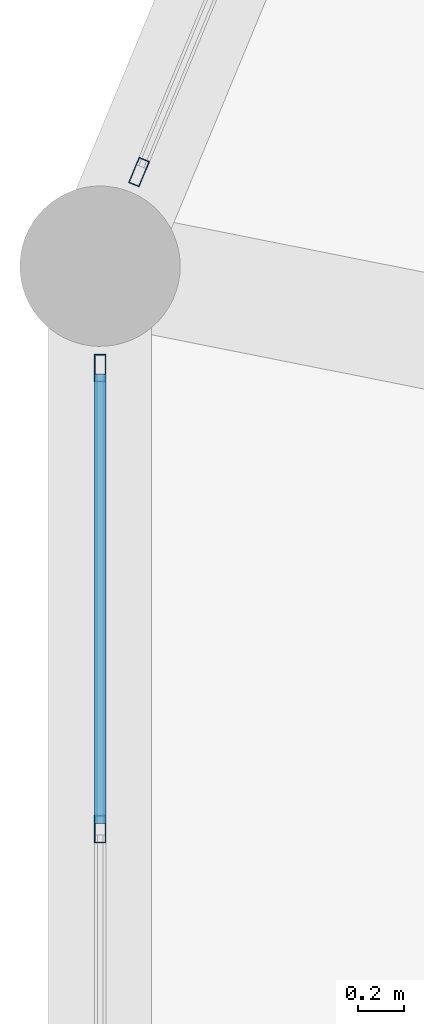
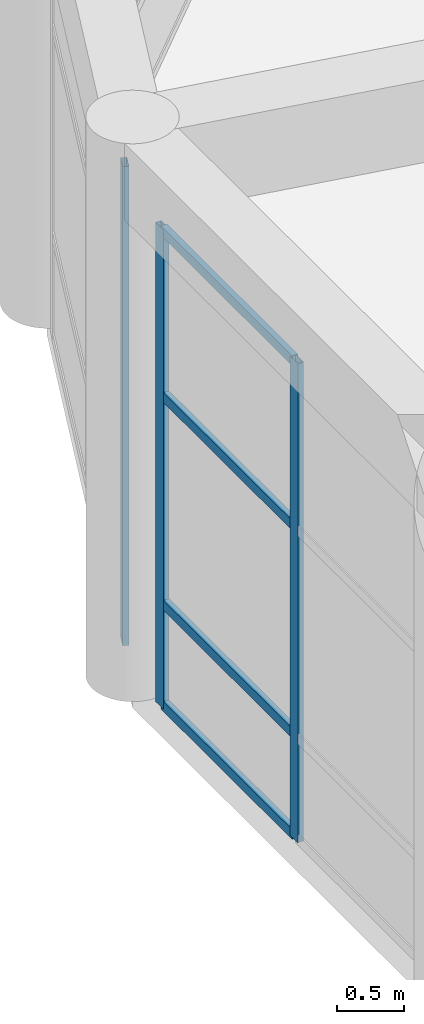
# One storey, part 9 of 95: 7 members, 2 elements without a shape of their own.
"""IFC4 building model written with IfcOpenShell, lengths in metres."""

from ifc_helpers import new_model, si_unit, direction, frame, origin, origin_2d, place, context, subcontext, project, spatial, hollow_rectangle, extrude, material, material_profile, profile_set, type_object, element, aggregate, save


model = new_model("IFC4")

# Units and contexts
model_context = context("Model", 3, precision=1e-05, world=origin(), true_north=direction((0.0, 1.0)))
body_context = subcontext(model_context, "Body", "Model", "MODEL_VIEW")
ifc_project = project(units=[si_unit("LENGTHUNIT", "METRE"), si_unit("AREAUNIT", "SQUARE_METRE"), si_unit("VOLUMEUNIT", "CUBIC_METRE"), si_unit("PLANEANGLEUNIT", "RADIAN"), si_unit("MASSUNIT", "GRAM", prefix="KILO")], contexts=[model_context])

# Site, building, storey
site_placement = place(None, origin())
site = spatial("IfcSite", under=ifc_project, at=site_placement, CompositionType="ELEMENT")
building_placement = place(site_placement, origin())
building = spatial("IfcBuilding", under=site, at=building_placement, Name="Almacenes y Pasaje Nevantli", CompositionType="ELEMENT")
storey_placement = place(building_placement, frame((0.0, 0.0, 11.39990234375)))
storey = spatial("IfcBuildingStorey", under=building, at=storey_placement, Name="L03", CompositionType="ELEMENT", Elevation=11.39990234375)

# Curtain wall, member
ifc_material_1 = material(Name="Thermally Broken Aluminium and Low-E Glass", Category="aluminium")
curtain_wall_type = type_object("IfcCurtainWallType", Name="CW-UNIT-ROTUNDA", PredefinedType="USERDEFINED", material=ifc_material_1)
curtain_wall_1_placement = place(storey_placement, origin())
curtain_wall_1 = element("IfcCurtainWall", 1, at=curtain_wall_1_placement, inside=storey, type_object=curtain_wall_type, Name="L03 Corner Rotunda Faceted Curtain Wall Facet #7", ObjectType="UNITIZED CURTAIN WALL", PredefinedType="USERDEFINED")
ifc_material_2 = material(Name="Thermally Broken Anodized Aluminium", Category="aluminium")
ifc_material_profile_1 = material_profile(ifc_material_2, hollow_rectangle(XDim=0.050048828125, YDim=0.1201171875, WallThickness=0.003173828125, at=origin_2d()), Name="ALU-MUL-50x120")
ifc_profile_set_1 = profile_set([ifc_material_profile_1], Name="Thermally Broken Anodized Aluminium")
member_type_1 = type_object("IfcMemberType", Name="CW-MUL-140", PredefinedType="MULLION", material=ifc_profile_set_1)
member_1_placement = place(storey_placement, frame((-3.78759765625, 11.269287109375, 0.0), z_axis=(0.0, 0.0, 1.0), x_axis=(0.923873311502, -0.382698450865, 0.0)))
member_1 = element("IfcMember", 2, at=member_1_placement, type_object=member_type_1, Name="CW-L03-059 mullion 3", PredefinedType="MULLION", context=body_context, shape_type="SweptSolid", body=[
    extrude(hollow_rectangle(XDim=0.050048828125, YDim=0.1201171875, WallThickness=0.003173828125, at=origin_2d()), origin(), (0.0, 0.0, 1.0), 4.380126953125),
])
aggregate(curtain_wall_1, [member_1])

# Curtain wall, members
curtain_wall_2_placement = place(storey_placement, origin())
curtain_wall_2 = element("IfcCurtainWall", 3, at=curtain_wall_2_placement, inside=storey, type_object=curtain_wall_type, Name="L03 Corner Rotunda Faceted Curtain Wall Facet #8", ObjectType="UNITIZED CURTAIN WALL", PredefinedType="USERDEFINED")
member_2_placement = place(storey_placement, frame((-3.9580078125, 10.4130859375, 0.0), z_axis=(0.0, 0.0, 1.0), x_axis=(1.0, 0.0, 0.0)))
member_2 = element("IfcMember", 4, at=member_2_placement, type_object=member_type_1, Name="CW-L03-060 mullion 1", PredefinedType="MULLION", context=body_context, shape_type="SweptSolid", body=[
    extrude(hollow_rectangle(XDim=0.050048828125, YDim=0.1201171875, WallThickness=0.003173828125, at=origin_2d()), origin(), (0.0, 0.0, 1.0), 4.380126953125),
])
member_3_placement = place(storey_placement, frame((-3.9580078125, 8.39990234375, 0.0), z_axis=(0.0, 0.0, 1.0), x_axis=(1.0, 0.0, 0.0)))
member_3 = element("IfcMember", 5, at=member_3_placement, type_object=member_type_1, Name="CW-L03-060 mullion 2", PredefinedType="MULLION", context=body_context, shape_type="SweptSolid", body=[
    extrude(hollow_rectangle(XDim=0.050048828125, YDim=0.1201171875, WallThickness=0.003173828125, at=origin_2d()), origin(), (0.0, 0.0, 1.0), 4.380126953125),
])
ifc_material_3 = material(Name="Thermally Broken Anodized Aluminium", Category="aluminium")
ifc_material_profile_2 = material_profile(ifc_material_3, hollow_rectangle(XDim=0.050048828125, YDim=0.090087890625, WallThickness=0.0029296875, at=origin_2d()), Name="ALU-TRN-50x90")
ifc_profile_set_2 = profile_set([ifc_material_profile_2], Name="Thermally Broken Anodized Aluminium")
member_type_2 = type_object("IfcMemberType", Name="CW-TRN-100", PredefinedType="USERDEFINED", material=ifc_profile_set_2)
member_4_placement = place(storey_placement, frame((-3.9580078125, 10.38818359375, 0.025146484375), z_axis=(0.0, -1.0, 0.0), x_axis=(1.0, 0.0, 0.0)))
member_4 = element("IfcMember", 6, at=member_4_placement, type_object=member_type_2, Name="CW-L03-060 transom 1.1", ObjectType="TRANSOM", PredefinedType="USERDEFINED", context=body_context, shape_type="SweptSolid", body=[
    extrude(hollow_rectangle(XDim=0.050048828125, YDim=0.090087890625, WallThickness=0.0029296875, at=origin_2d()), origin(), (0.0, 0.0, 1.0), 1.963134765625),
])
member_5_placement = place(storey_placement, frame((-3.9580078125, 10.38818359375, 0.9501953125), z_axis=(0.0, -1.0, 0.0), x_axis=(1.0, 0.0, 0.0)))
member_5 = element("IfcMember", 7, at=member_5_placement, type_object=member_type_2, Name="CW-L03-060 transom 1.2", ObjectType="TRANSOM", PredefinedType="USERDEFINED", context=body_context, shape_type="SweptSolid", body=[
    extrude(hollow_rectangle(XDim=0.050048828125, YDim=0.090087890625, WallThickness=0.0029296875, at=origin_2d()), origin(), (0.0, 0.0, 1.0), 1.963134765625),
])
member_6_placement = place(storey_placement, frame((-3.9580078125, 10.38818359375, 2.85009765625), z_axis=(0.0, -1.0, 0.0), x_axis=(1.0, 0.0, 0.0)))
member_6 = element("IfcMember", 8, at=member_6_placement, type_object=member_type_2, Name="CW-L03-060 transom 1.3", ObjectType="TRANSOM", PredefinedType="USERDEFINED", context=body_context, shape_type="SweptSolid", body=[
    extrude(hollow_rectangle(XDim=0.050048828125, YDim=0.090087890625, WallThickness=0.0029296875, at=origin_2d()), origin(), (0.0, 0.0, 1.0), 1.963134765625),
])
member_7_placement = place(storey_placement, frame((-3.9580078125, 10.38818359375, 4.35498046875), z_axis=(0.0, -1.0, 0.0), x_axis=(1.0, 0.0, 0.0)))
member_7 = element("IfcMember", 9, at=member_7_placement, type_object=member_type_2, Name="CW-L03-060 transom 1.4", ObjectType="TRANSOM", PredefinedType="USERDEFINED", context=body_context, shape_type="SweptSolid", body=[
    extrude(hollow_rectangle(XDim=0.050048828125, YDim=0.090087890625, WallThickness=0.0029296875, at=origin_2d()), origin(), (0.0, 0.0, 1.0), 1.963134765625),
])
aggregate(curtain_wall_2, [member_2, member_3, member_4, member_5, member_6, member_7])

save(model, "model.ifc")
